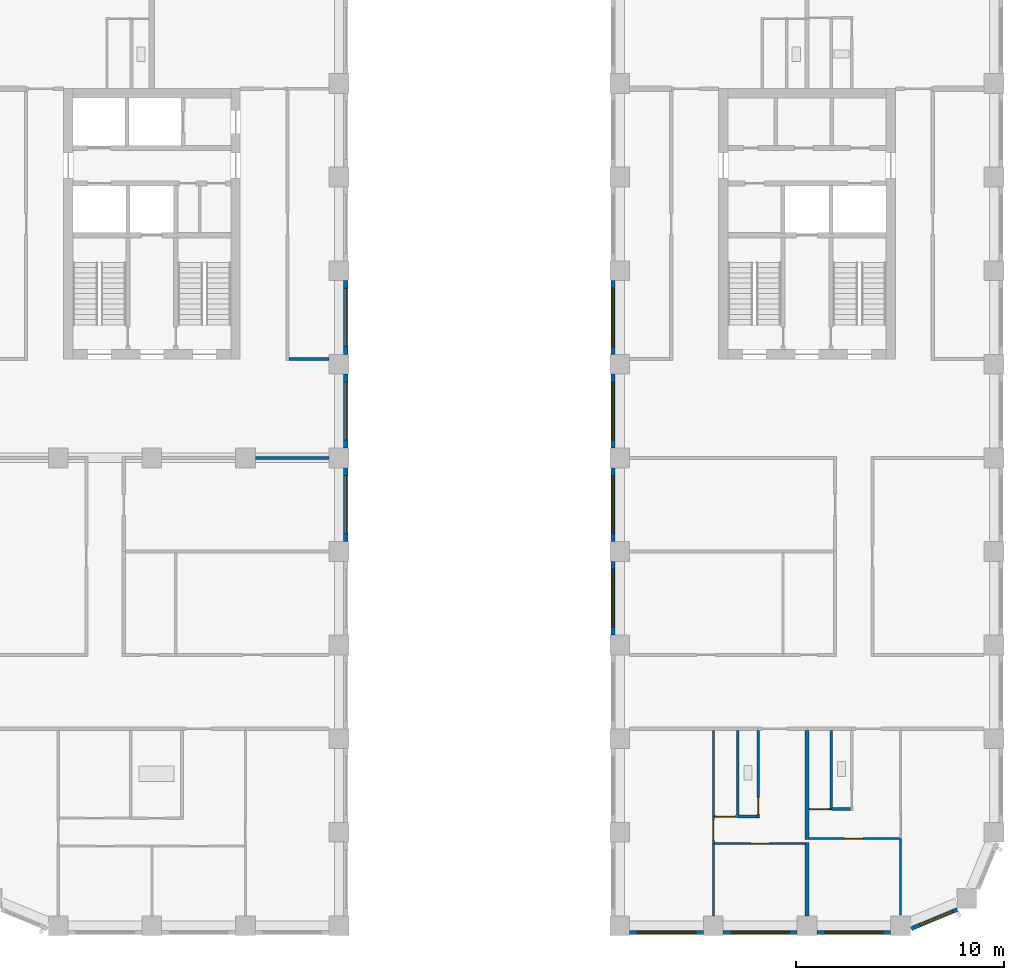
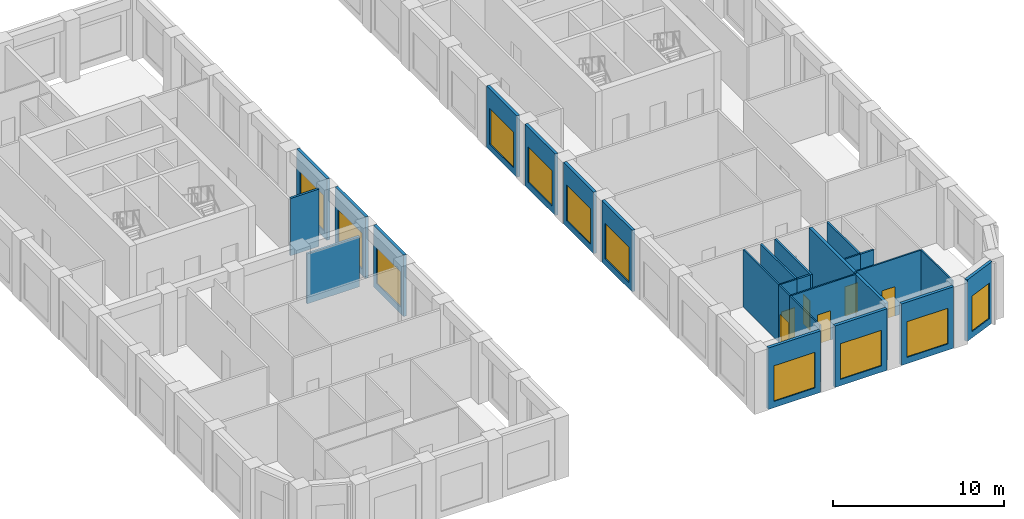
# One storey, part 4 of 12: 28 walls, 11 windows, 6 doors, 17 openings.
"""IFC4 building model written with IfcOpenShell, lengths in metres."""

from ifc_helpers import new_model, si_unit, direction, frame, frame_2d, origin, place, context, subcontext, project, spatial, rectangle, extrude, material, layer, layer_set, type_object, element, fill, save


model = new_model("IFC4")

# Units and contexts
model_context = context("Model", 3, precision=1e-05, world=origin(), true_north=direction((0.0, 1.0)))
body_context = subcontext(model_context, "Body", "Model", "MODEL_VIEW")
ifc_project = project(units=[si_unit("LENGTHUNIT", "METRE"), si_unit("AREAUNIT", "SQUARE_METRE"), si_unit("VOLUMEUNIT", "CUBIC_METRE"), si_unit("PLANEANGLEUNIT", "RADIAN"), si_unit("MASSUNIT", "GRAM", prefix="KILO")], contexts=[model_context])

# Site, building, storey
site_placement = place(None, origin())
site = spatial("IfcSite", under=ifc_project, at=site_placement, CompositionType="ELEMENT")
building_placement = place(site_placement, origin())
building = spatial("IfcBuilding", under=site, at=building_placement, Name="Girih Gate Residences", CompositionType="ELEMENT")
storey_placement = place(building_placement, frame((0.0, 0.0, 155.0)))
storey = spatial("IfcBuildingStorey", under=building, at=storey_placement, Name="L43", CompositionType="ELEMENT", Elevation=155.0)

# Walls
ifc_material_1 = material(Name="Gypsum board on steel studs", Category="steel")
ifc_layer_1 = layer(ifc_material_1, 0.14990234375)
ifc_layer_set_1 = layer_set([ifc_layer_1], Name="Compartment wall 150 mm")
wall_type_1 = type_object("IfcWallType", Name="Compartment wall 150 mm", PredefinedType="PARTITIONING", material=ifc_layer_set_1)
wall_1_placement = place(storey_placement, frame((13.97509765625, 22.5, 0.0), z_axis=(0.0, 0.0, 1.0), x_axis=(1.0, 0.0, 0.0)))
element("IfcWall", 1, at=wall_1_placement, inside=storey, type_object=wall_type_1, Name="L43 partition", PredefinedType="PARTITIONING", context=body_context, shape_type="SweptSolid", body=[
    extrude(rectangle(XDim=3.5498046875, YDim=0.14990234375, at=frame_2d((1.77490234375, 0.0))), origin(), (0.0, 0.0, 1.0), 3.580078125),
])
wall_2_placement = place(storey_placement, frame((15.60009765625, 27.25, 0.0), z_axis=(0.0, 0.0, 1.0), x_axis=(1.0, 0.0, 0.0)))
element("IfcWall", 2, at=wall_2_placement, inside=storey, type_object=wall_type_1, Name="L43 partition", PredefinedType="PARTITIONING", context=body_context, shape_type="SweptSolid", body=[
    extrude(rectangle(XDim=1.9248046875, YDim=0.14990234375, at=frame_2d((0.96240234375, 0.0))), origin(), (0.0, 0.0, 1.0), 4.10009765625),
])

# Wall, opening, door
ifc_layer_2 = layer(ifc_material_1, 0.10009765625)
ifc_layer_set_2 = layer_set([ifc_layer_2], Name="Partition 100 mm")
wall_type_2 = type_object("IfcWallType", Name="Partition 100 mm", PredefinedType="PARTITIONING", material=ifc_layer_set_2)
wall_3_placement = place(storey_placement, frame((44.949951171875, 4.195068359375, 0.0), z_axis=(0.0, 0.0, 1.0), x_axis=(-1.0, 0.0, 0.0)))
wall_3 = element("IfcWall", 3, at=wall_3_placement, inside=storey, type_object=wall_type_2, Name="L43 partition", PredefinedType="PARTITIONING", context=body_context, shape_type="SweptSolid", body=[
    extrude(rectangle(XDim=4.349853515625, YDim=0.10009765625, at=frame_2d((2.1748046875, 0.0))), origin(), (0.0, 0.0, 1.0), 4.10009765625),
])
opening_1_placement = place(wall_3_placement, frame((1.75, 0.0, 0.0)))
opening_1 = element("IfcOpeningElement", 4, at=opening_1_placement, cuts=wall_3, Name="Opening A43-014", PredefinedType="OPENING", context=body_context, shape_type="SweptSolid", body=[
    extrude(rectangle(XDim=0.89990234375, YDim=2.10009765625, at=frame_2d((0.449951171875, 1.050048828125))), frame((0.0, 0.06005859375, 0.0), z_axis=(0.0, -1.0, 0.0), x_axis=(1.0, 0.0, 0.0)), (0.0, 0.0, 1.0), 0.1201171875),
])
ifc_material_2 = material(Name="Timber", Category="wood")
door_type_1 = type_object("IfcDoorType", Name="Bedroom door 900x2100", OperationType="NOTDEFINED", PredefinedType="DOOR", material=ifc_material_2)
door_1_placement = place(opening_1_placement, origin())
door_1 = element("IfcDoor", 5, at=door_1_placement, inside=storey, type_object=door_type_1, Name="Door A43-014", OperationType="SINGLE_SWING_RIGHT", OverallHeight=2.10009765625, OverallWidth=0.89990234375, PredefinedType="DOOR", context=body_context, shape_type="SweptSolid", body=[
    extrude(rectangle(XDim=0.89990234375, YDim=2.10009765625, at=frame_2d((0.449951171875, 1.050048828125))), frame((0.0, 0.02490234375, 0.0), z_axis=(0.0, -1.0, 0.0), x_axis=(1.0, 0.0, 0.0)), (0.0, 0.0, 1.0), 0.050048828125),
])
fill(opening_1, door_1)

# Wall
wall_4_placement = place(storey_placement, frame((45.0, 0.51416015625, 0.0), z_axis=(0.0, 0.0, 1.0), x_axis=(0.0, 1.0, 0.0)))
element("IfcWall", 6, at=wall_4_placement, inside=storey, type_object=wall_type_2, Name="L43 partition", PredefinedType="PARTITIONING", context=body_context, shape_type="SweptSolid", body=[
    extrude(rectangle(XDim=3.680908203125, YDim=0.10009765625, at=frame_2d((1.84033203125, 0.0))), origin(), (0.0, 0.0, 1.0), 4.10009765625),
])

# Wall, opening, door
wall_5_placement = place(storey_placement, frame((40.60009765625, 5.614990234375, 0.0), z_axis=(0.0, 0.0, 1.0), x_axis=(1.0, 0.0, 0.0)))
wall_5 = element("IfcWall", 7, at=wall_5_placement, inside=storey, type_object=wall_type_2, Name="L43 partition", PredefinedType="PARTITIONING", context=body_context, shape_type="SweptSolid", body=[
    extrude(rectangle(XDim=1.072509765625, YDim=0.10009765625, at=frame_2d((0.5361328125, 0.0))), origin(), (0.0, 0.0, 1.0), 4.10009765625),
])
opening_2_placement = place(wall_5_placement, frame((0.036376953125, 0.0, 0.0)))
opening_2 = element("IfcOpeningElement", 8, at=opening_2_placement, cuts=wall_5, Name="Opening A43-015", PredefinedType="OPENING", context=body_context, shape_type="SweptSolid", body=[
    extrude(rectangle(XDim=0.89990234375, YDim=2.10009765625, at=frame_2d((0.449951171875, 1.050048828125))), frame((0.0, 0.06005859375, 0.0), z_axis=(0.0, -1.0, 0.0), x_axis=(1.0, 0.0, 0.0)), (0.0, 0.0, 1.0), 0.1201171875),
])
door_type_2 = type_object("IfcDoorType", Name="Kitchen door 900x2100", OperationType="NOTDEFINED", PredefinedType="DOOR", material=ifc_material_2)
door_2_placement = place(opening_2_placement, origin())
door_2 = element("IfcDoor", 9, at=door_2_placement, inside=storey, type_object=door_type_2, Name="Door A43-015", OperationType="SINGLE_SWING_LEFT", OverallHeight=2.10009765625, OverallWidth=0.89990234375, PredefinedType="DOOR", context=body_context, shape_type="SweptSolid", body=[
    extrude(rectangle(XDim=0.89990234375, YDim=2.10009765625, at=frame_2d((0.449951171875, 1.050048828125))), frame((0.0, 0.02490234375, 0.0), z_axis=(0.0, -1.0, 0.0), x_axis=(1.0, 0.0, 0.0)), (0.0, 0.0, 1.0), 0.050048828125),
])
fill(opening_2, door_2)

wall_6_placement = place(storey_placement, frame((40.39990234375, 3.955078125, 0.0), z_axis=(0.0, 0.0, 1.0), x_axis=(-1.0, 0.0, 0.0)))
wall_6 = element("IfcWall", 10, at=wall_6_placement, inside=storey, type_object=wall_type_2, Name="L43 partition", PredefinedType="PARTITIONING", context=body_context, shape_type="SweptSolid", body=[
    extrude(rectangle(XDim=4.349853515625, YDim=0.10009765625, at=frame_2d((2.1748046875, 0.0))), origin(), (0.0, 0.0, 1.0), 4.10009765625),
])
opening_3_placement = place(wall_6_placement, frame((1.699951171875, 0.0, 0.0)))
opening_3 = element("IfcOpeningElement", 11, at=opening_3_placement, cuts=wall_6, Name="Opening A43-019", PredefinedType="OPENING", context=body_context, shape_type="SweptSolid", body=[
    extrude(rectangle(XDim=0.89990234375, YDim=2.10009765625, at=frame_2d((0.449951171875, 1.050048828125))), frame((0.0, 0.06005859375, 0.0), z_axis=(0.0, -1.0, 0.0), x_axis=(1.0, 0.0, 0.0)), (0.0, 0.0, 1.0), 0.1201171875),
])
door_3_placement = place(opening_3_placement, origin())
door_3 = element("IfcDoor", 12, at=door_3_placement, inside=storey, type_object=door_type_1, Name="Door A43-019", OperationType="SINGLE_SWING_LEFT", OverallHeight=2.10009765625, OverallWidth=0.89990234375, PredefinedType="DOOR", context=body_context, shape_type="SweptSolid", body=[
    extrude(rectangle(XDim=0.89990234375, YDim=2.10009765625, at=frame_2d((0.449951171875, 1.050048828125))), frame((0.0, 0.02490234375, 0.0), z_axis=(0.0, -1.0, 0.0), x_axis=(1.0, 0.0, 0.0)), (0.0, 0.0, 1.0), 0.050048828125),
])
fill(opening_3, door_3)

# Wall
wall_7_placement = place(storey_placement, frame((36.0, 0.47509765625, 0.0), z_axis=(0.0, 0.0, 1.0), x_axis=(0.0, 1.0, 0.0)))
element("IfcWall", 13, at=wall_7_placement, inside=storey, type_object=wall_type_2, Name="L43 partition", PredefinedType="PARTITIONING", context=body_context, shape_type="SweptSolid", body=[
    extrude(rectangle(XDim=3.47998046875, YDim=0.10009765625, at=frame_2d((1.739990234375, 0.0))), origin(), (0.0, 0.0, 1.0), 4.10009765625),
])

# Wall, opening, door
wall_8_placement = place(storey_placement, frame((36.050048828125, 5.2548828125, 0.0), z_axis=(0.0, 0.0, 1.0), x_axis=(1.0, 0.0, 0.0)))
wall_8 = element("IfcWall", 14, at=wall_8_placement, inside=storey, type_object=wall_type_2, Name="L43 partition", PredefinedType="PARTITIONING", context=body_context, shape_type="SweptSolid", body=[
    extrude(rectangle(XDim=1.12255859375, YDim=0.10009765625, at=frame_2d((0.561279296875, 0.0))), origin(), (0.0, 0.0, 1.0), 4.10009765625),
])
opening_4_placement = place(wall_8_placement, frame((0.08642578125, 0.0, 0.0)))
opening_4 = element("IfcOpeningElement", 15, at=opening_4_placement, cuts=wall_8, Name="Opening A43-020", PredefinedType="OPENING", context=body_context, shape_type="SweptSolid", body=[
    extrude(rectangle(XDim=0.89990234375, YDim=2.10009765625, at=frame_2d((0.449951171875, 1.050048828125))), frame((0.0, 0.06005859375, 0.0), z_axis=(0.0, -1.0, 0.0), x_axis=(1.0, 0.0, 0.0)), (0.0, 0.0, 1.0), 0.1201171875),
])
door_4_placement = place(opening_4_placement, origin())
door_4 = element("IfcDoor", 16, at=door_4_placement, inside=storey, type_object=door_type_2, Name="Door A43-020", OperationType="SINGLE_SWING_LEFT", OverallHeight=2.10009765625, OverallWidth=0.89990234375, PredefinedType="DOOR", context=body_context, shape_type="SweptSolid", body=[
    extrude(rectangle(XDim=0.89990234375, YDim=2.10009765625, at=frame_2d((0.449951171875, 1.050048828125))), frame((0.0, 0.02490234375, 0.0), z_axis=(0.0, -1.0, 0.0), x_axis=(1.0, 0.0, 0.0)), (0.0, 0.0, 1.0), 0.050048828125),
])
fill(opening_4, door_4)

wall_9_placement = place(storey_placement, frame((36.0, 3.955078125, 0.0), z_axis=(0.0, 0.0, 1.0), x_axis=(0.0, 1.0, 0.0)))
wall_9 = element("IfcWall", 17, at=wall_9_placement, inside=storey, type_object=wall_type_2, Name="L43 partition", PredefinedType="PARTITIONING", context=body_context, shape_type="SweptSolid", body=[
    extrude(rectangle(XDim=1.2998046875, YDim=0.10009765625, at=frame_2d((0.64990234375, 0.0))), origin(), (0.0, 0.0, 1.0), 4.10009765625),
])
opening_5_placement = place(wall_9_placement, frame((0.14990234375, 0.0, 0.0)))
opening_5 = element("IfcOpeningElement", 18, at=opening_5_placement, cuts=wall_9, Name="Opening A43-021", PredefinedType="OPENING", context=body_context, shape_type="SweptSolid", body=[
    extrude(rectangle(XDim=1.0, YDim=2.10009765625, at=frame_2d((0.5, 1.050048828125))), frame((0.0, 0.06005859375, 0.0), z_axis=(0.0, -1.0, 0.0), x_axis=(1.0, 0.0, 0.0)), (0.0, 0.0, 1.0), 0.1201171875),
])
door_type_3 = type_object("IfcDoorType", Name="Living room door 1000x2100", OperationType="NOTDEFINED", PredefinedType="DOOR", material=ifc_material_2)
door_5_placement = place(opening_5_placement, origin())
door_5 = element("IfcDoor", 19, at=door_5_placement, inside=storey, type_object=door_type_3, Name="Door A43-021", OperationType="SINGLE_SWING_LEFT", OverallHeight=2.10009765625, OverallWidth=1.0, PredefinedType="DOOR", context=body_context, shape_type="SweptSolid", body=[
    extrude(rectangle(XDim=1.0, YDim=2.10009765625, at=frame_2d((0.5, 1.050048828125))), frame((0.0, 0.02490234375, 0.0), z_axis=(0.0, -1.0, 0.0), x_axis=(1.0, 0.0, 0.0)), (0.0, 0.0, 1.0), 0.050048828125),
])
fill(opening_5, door_5)

# Walls
wall_10_placement = place(storey_placement, frame((36.0, 5.2548828125, 0.0), z_axis=(0.0, 0.0, 1.0), x_axis=(0.0, 1.0, 0.0)))
element("IfcWall", 20, at=wall_10_placement, inside=storey, type_object=wall_type_2, Name="L43 partition", PredefinedType="PARTITIONING", context=body_context, shape_type="SweptSolid", body=[
    extrude(rectangle(XDim=4.14501953125, YDim=0.10009765625, at=frame_2d((2.072509765625, 0.0))), origin(), (0.0, 0.0, 1.0), 4.10009765625),
])
ifc_layer_3 = layer(ifc_material_1, 0.199951171875)
ifc_layer_set_3 = layer_set([ifc_layer_3], Name="Party wall 200 mm")
wall_type_3 = type_object("IfcWallType", Name="Party wall 200 mm", PredefinedType="PARTITIONING", material=ifc_layer_set_3)
wall_11_placement = place(storey_placement, frame((40.5, 0.47509765625, 0.0), z_axis=(0.0, 0.0, 1.0), x_axis=(0.0, 1.0, 0.0)))
element("IfcWall", 21, at=wall_11_placement, inside=storey, type_object=wall_type_3, Name="L43 partition", PredefinedType="PARTITIONING", context=body_context, shape_type="SweptSolid", body=[
    extrude(rectangle(XDim=3.52978515625, YDim=0.199951171875, at=frame_2d((1.764892578125, 0.0))), origin(), (0.0, 0.0, 1.0), 4.10009765625),
])
wall_12_placement = place(storey_placement, frame((40.5, 4.14501953125, 0.0), z_axis=(0.0, 0.0, 1.0), x_axis=(0.0, 1.0, 0.0)))
element("IfcWall", 22, at=wall_12_placement, inside=storey, type_object=wall_type_3, Name="L43 partition", PredefinedType="PARTITIONING", context=body_context, shape_type="SweptSolid", body=[
    extrude(rectangle(XDim=5.2548828125, YDim=0.199951171875, at=frame_2d((2.62744140625, 0.0))), origin(), (0.0, 0.0, 1.0), 4.10009765625),
])

# Wall, opening, window
ifc_material_3 = material(Name="Precast concrete C50/60", Category="concrete")
ifc_layer_4 = layer(ifc_material_3, 0.06005859375, Name="Outer leaf")
ifc_material_4 = material(Name="Rigid PIR insulation")
ifc_layer_5 = layer(ifc_material_4, 0.090087890625, Name="Insulation")
ifc_material_5 = material(Name="Precast concrete C40/50", Category="concrete")
ifc_layer_6 = layer(ifc_material_5, 0.050048828125, Name="Inner leaf")
ifc_layer_set_4 = layer_set([ifc_layer_4, ifc_layer_5, ifc_layer_6], Name="Precast concrete C50/60 external wall 200")
wall_type_4 = type_object("IfcWallType", Name="Precast concrete C50/60 external wall 200", PredefinedType="SOLIDWALL", material=ifc_layer_set_4)
wall_13_placement = place(storey_placement, frame((18.324951171875, 22.02490234375, 0.0), z_axis=(0.0, 0.0, 1.0), x_axis=(0.0, -1.0, 0.0)))
wall_13 = element("IfcWall", 23, at=wall_13_placement, inside=storey, type_object=wall_type_4, Name="External wall E0180_0000.4", PredefinedType="SOLIDWALL", context=body_context, shape_type="SweptSolid", body=[
    extrude(rectangle(XDim=3.5498046875, YDim=0.199951171875, at=frame_2d((1.77490234375, 0.0))), origin(), (0.0, 0.0, 1.0), 4.39990234375),
])
opening_6_placement = place(wall_13_placement, frame((0.375, 0.0, 0.449951171875)))
opening_6 = element("IfcOpeningElement", 24, at=opening_6_placement, cuts=wall_13, Name="Opening W-6A", PredefinedType="OPENING", context=body_context, shape_type="SweptSolid", body=[
    extrude(rectangle(XDim=2.800048828125, YDim=2.550048828125, at=frame_2d((1.39990234375, 1.27490234375))), frame((0.0, 0.10986328125, 0.0), z_axis=(0.0, -1.0, 0.0), x_axis=(1.0, 0.0, 0.0)), (0.0, 0.0, 1.0), 0.219970703125),
])
ifc_material_6 = material(Name="Double glazing in aluminium frame", Category="aluminium")
window_type_1 = type_object("IfcWindowType", Name="Window W-6A 2800x2550", PartitioningType="SINGLE_PANEL", PredefinedType="WINDOW", material=ifc_material_6)
window_1_placement = place(opening_6_placement, origin())
window_1 = element("IfcWindow", 25, at=window_1_placement, inside=storey, type_object=window_type_1, Name="Window W-6A E0180_0000.4", OverallHeight=2.550048828125, OverallWidth=2.800048828125, PartitioningType="SINGLE_PANEL", PredefinedType="WINDOW", context=body_context, shape_type="SweptSolid", body=[
    extrude(rectangle(XDim=2.800048828125, YDim=2.550048828125, at=frame_2d((1.39990234375, 1.27490234375))), frame((0.0, 0.030029296875, 0.0), z_axis=(0.0, -1.0, 0.0), x_axis=(1.0, 0.0, 0.0)), (0.0, 0.0, 1.0), 0.06005859375),
])
fill(opening_6, window_1)

wall_14_placement = place(storey_placement, frame((18.324951171875, 26.52490234375, 0.0), z_axis=(0.0, 0.0, 1.0), x_axis=(0.0, -1.0, 0.0)))
wall_14 = element("IfcWall", 26, at=wall_14_placement, inside=storey, type_object=wall_type_4, Name="External wall E0180_0000.5", PredefinedType="SOLIDWALL", context=body_context, shape_type="SweptSolid", body=[
    extrude(rectangle(XDim=3.5498046875, YDim=0.199951171875, at=frame_2d((1.77490234375, 0.0))), origin(), (0.0, 0.0, 1.0), 4.39990234375),
])
opening_7_placement = place(wall_14_placement, frame((0.375, 0.0, 0.449951171875)))
opening_7 = element("IfcOpeningElement", 27, at=opening_7_placement, cuts=wall_14, Name="Opening W-6A", PredefinedType="OPENING", context=body_context, shape_type="SweptSolid", body=[
    extrude(rectangle(XDim=2.800048828125, YDim=2.550048828125, at=frame_2d((1.39990234375, 1.27490234375))), frame((0.0, 0.10986328125, 0.0), z_axis=(0.0, -1.0, 0.0), x_axis=(1.0, 0.0, 0.0)), (0.0, 0.0, 1.0), 0.219970703125),
])
window_2_placement = place(opening_7_placement, origin())
window_2 = element("IfcWindow", 28, at=window_2_placement, inside=storey, type_object=window_type_1, Name="Window W-6A E0180_0000.5", OverallHeight=2.550048828125, OverallWidth=2.800048828125, PartitioningType="SINGLE_PANEL", PredefinedType="WINDOW", context=body_context, shape_type="SweptSolid", body=[
    extrude(rectangle(XDim=2.800048828125, YDim=2.550048828125, at=frame_2d((1.39990234375, 1.27490234375))), frame((0.0, 0.030029296875, 0.0), z_axis=(0.0, -1.0, 0.0), x_axis=(1.0, 0.0, 0.0)), (0.0, 0.0, 1.0), 0.06005859375),
])
fill(opening_7, window_2)

wall_15_placement = place(storey_placement, frame((18.324951171875, 31.02490234375, 0.0), z_axis=(0.0, 0.0, 1.0), x_axis=(0.0, -1.0, 0.0)))
wall_15 = element("IfcWall", 29, at=wall_15_placement, inside=storey, type_object=wall_type_4, Name="External wall E0180_0000.6", PredefinedType="SOLIDWALL", context=body_context, shape_type="SweptSolid", body=[
    extrude(rectangle(XDim=3.5498046875, YDim=0.199951171875, at=frame_2d((1.77490234375, 0.0))), origin(), (0.0, 0.0, 1.0), 4.39990234375),
])
opening_8_placement = place(wall_15_placement, frame((0.375, 0.0, 0.449951171875)))
opening_8 = element("IfcOpeningElement", 30, at=opening_8_placement, cuts=wall_15, Name="Opening W-6A", PredefinedType="OPENING", context=body_context, shape_type="SweptSolid", body=[
    extrude(rectangle(XDim=2.800048828125, YDim=2.550048828125, at=frame_2d((1.39990234375, 1.27490234375))), frame((0.0, 0.10986328125, 0.0), z_axis=(0.0, -1.0, 0.0), x_axis=(1.0, 0.0, 0.0)), (0.0, 0.0, 1.0), 0.219970703125),
])
window_3_placement = place(opening_8_placement, origin())
window_3 = element("IfcWindow", 31, at=window_3_placement, inside=storey, type_object=window_type_1, Name="Window W-6A E0180_0000.6", OverallHeight=2.550048828125, OverallWidth=2.800048828125, PartitioningType="SINGLE_PANEL", PredefinedType="WINDOW", context=body_context, shape_type="SweptSolid", body=[
    extrude(rectangle(XDim=2.800048828125, YDim=2.550048828125, at=frame_2d((1.39990234375, 1.27490234375))), frame((0.0, 0.030029296875, 0.0), z_axis=(0.0, -1.0, 0.0), x_axis=(1.0, 0.0, 0.0)), (0.0, 0.0, 1.0), 0.06005859375),
])
fill(opening_8, window_3)

wall_16_placement = place(storey_placement, frame((35.52490234375, -0.324951171875, 0.0), z_axis=(0.0, 0.0, 1.0), x_axis=(-1.0, 0.0, 0.0)))
wall_16 = element("IfcWall", 32, at=wall_16_placement, inside=storey, type_object=wall_type_4, Name="External wall S0315_0000.0", PredefinedType="SOLIDWALL", context=body_context, shape_type="SweptSolid", body=[
    extrude(rectangle(XDim=3.5498046875, YDim=0.199951171875, at=frame_2d((1.77490234375, 0.0))), origin(), (0.0, 0.0, 1.0), 4.39990234375),
])
opening_9_placement = place(wall_16_placement, frame((0.375, 0.0, 0.449951171875)))
opening_9 = element("IfcOpeningElement", 33, at=opening_9_placement, cuts=wall_16, Name="Opening W-6A", PredefinedType="OPENING", context=body_context, shape_type="SweptSolid", body=[
    extrude(rectangle(XDim=2.800048828125, YDim=2.550048828125, at=frame_2d((1.39990234375, 1.27490234375))), frame((0.0, 0.10986328125, 0.0), z_axis=(0.0, -1.0, 0.0), x_axis=(1.0, 0.0, 0.0)), (0.0, 0.0, 1.0), 0.219970703125),
])
window_4_placement = place(opening_9_placement, origin())
window_4 = element("IfcWindow", 34, at=window_4_placement, inside=storey, type_object=window_type_1, Name="Window W-6A S0315_0000.0", OverallHeight=2.550048828125, OverallWidth=2.800048828125, PartitioningType="SINGLE_PANEL", PredefinedType="WINDOW", context=body_context, shape_type="SweptSolid", body=[
    extrude(rectangle(XDim=2.800048828125, YDim=2.550048828125, at=frame_2d((1.39990234375, 1.27490234375))), frame((0.0, 0.030029296875, 0.0), z_axis=(0.0, -1.0, 0.0), x_axis=(1.0, 0.0, 0.0)), (0.0, 0.0, 1.0), 0.06005859375),
])
fill(opening_9, window_4)

wall_17_placement = place(storey_placement, frame((40.02490234375, -0.324951171875, 0.0), z_axis=(0.0, 0.0, 1.0), x_axis=(-1.0, 0.0, 0.0)))
wall_17 = element("IfcWall", 35, at=wall_17_placement, inside=storey, type_object=wall_type_4, Name="External wall S0315_0000.1", PredefinedType="SOLIDWALL", context=body_context, shape_type="SweptSolid", body=[
    extrude(rectangle(XDim=3.5498046875, YDim=0.199951171875, at=frame_2d((1.77490234375, 0.0))), origin(), (0.0, 0.0, 1.0), 4.39990234375),
])
opening_10_placement = place(wall_17_placement, frame((0.375, 0.0, 0.449951171875)))
opening_10 = element("IfcOpeningElement", 36, at=opening_10_placement, cuts=wall_17, Name="Opening W-6A", PredefinedType="OPENING", context=body_context, shape_type="SweptSolid", body=[
    extrude(rectangle(XDim=2.800048828125, YDim=2.550048828125, at=frame_2d((1.39990234375, 1.27490234375))), frame((0.0, 0.10986328125, 0.0), z_axis=(0.0, -1.0, 0.0), x_axis=(1.0, 0.0, 0.0)), (0.0, 0.0, 1.0), 0.219970703125),
])
window_5_placement = place(opening_10_placement, origin())
window_5 = element("IfcWindow", 37, at=window_5_placement, inside=storey, type_object=window_type_1, Name="Window W-6A S0315_0000.1", OverallHeight=2.550048828125, OverallWidth=2.800048828125, PartitioningType="SINGLE_PANEL", PredefinedType="WINDOW", context=body_context, shape_type="SweptSolid", body=[
    extrude(rectangle(XDim=2.800048828125, YDim=2.550048828125, at=frame_2d((1.39990234375, 1.27490234375))), frame((0.0, 0.030029296875, 0.0), z_axis=(0.0, -1.0, 0.0), x_axis=(1.0, 0.0, 0.0)), (0.0, 0.0, 1.0), 0.06005859375),
])
fill(opening_10, window_5)

wall_18_placement = place(storey_placement, frame((44.52490234375, -0.324951171875, 0.0), z_axis=(0.0, 0.0, 1.0), x_axis=(-1.0, 0.0, 0.0)))
wall_18 = element("IfcWall", 38, at=wall_18_placement, inside=storey, type_object=wall_type_4, Name="External wall S0315_0000.2", PredefinedType="SOLIDWALL", context=body_context, shape_type="SweptSolid", body=[
    extrude(rectangle(XDim=3.5498046875, YDim=0.199951171875, at=frame_2d((1.77490234375, 0.0))), origin(), (0.0, 0.0, 1.0), 4.39990234375),
])
opening_11_placement = place(wall_18_placement, frame((0.375, 0.0, 0.449951171875)))
opening_11 = element("IfcOpeningElement", 39, at=opening_11_placement, cuts=wall_18, Name="Opening W-6A", PredefinedType="OPENING", context=body_context, shape_type="SweptSolid", body=[
    extrude(rectangle(XDim=2.800048828125, YDim=2.550048828125, at=frame_2d((1.39990234375, 1.27490234375))), frame((0.0, 0.10986328125, 0.0), z_axis=(0.0, -1.0, 0.0), x_axis=(1.0, 0.0, 0.0)), (0.0, 0.0, 1.0), 0.219970703125),
])
window_6_placement = place(opening_11_placement, origin())
window_6 = element("IfcWindow", 40, at=window_6_placement, inside=storey, type_object=window_type_1, Name="Window W-6A S0315_0000.2", OverallHeight=2.550048828125, OverallWidth=2.800048828125, PartitioningType="SINGLE_PANEL", PredefinedType="WINDOW", context=body_context, shape_type="SweptSolid", body=[
    extrude(rectangle(XDim=2.800048828125, YDim=2.550048828125, at=frame_2d((1.39990234375, 1.27490234375))), frame((0.0, 0.030029296875, 0.0), z_axis=(0.0, -1.0, 0.0), x_axis=(1.0, 0.0, 0.0)), (0.0, 0.0, 1.0), 0.06005859375),
])
fill(opening_11, window_6)

wall_19_placement = place(storey_placement, frame((47.73291015625, 0.7802734375, 0.0), z_axis=(0.0, 0.0, 1.0), x_axis=(-0.923880599843, -0.382680855588, 0.0)))
wall_19 = element("IfcWall", 41, at=wall_19_placement, inside=storey, type_object=wall_type_4, Name="External wall SE0450_0000.0", PredefinedType="SOLIDWALL", context=body_context, shape_type="SweptSolid", body=[
    extrude(rectangle(XDim=2.402587890625, YDim=0.199951171875, at=frame_2d((1.201171875, 0.0))), origin(), (0.0, 0.0, 1.0), 4.39990234375),
])
opening_12_placement = place(wall_19_placement, frame((0.25146484375, 0.0, 0.449951171875)))
opening_12 = element("IfcOpeningElement", 42, at=opening_12_placement, cuts=wall_19, Name="Opening W-2F", PredefinedType="OPENING", context=body_context, shape_type="SweptSolid", body=[
    extrude(rectangle(XDim=1.699951171875, YDim=2.550048828125, at=frame_2d((0.85009765625, 1.27490234375))), frame((0.0, 0.10986328125, 0.0), z_axis=(0.0, -1.0, 0.0), x_axis=(1.0, 0.0, 0.0)), (0.0, 0.0, 1.0), 0.219970703125),
])
window_type_2 = type_object("IfcWindowType", Name="Window W-2F 1700x2550", PartitioningType="SINGLE_PANEL", PredefinedType="WINDOW", material=ifc_material_6)
window_7_placement = place(opening_12_placement, origin())
window_7 = element("IfcWindow", 43, at=window_7_placement, inside=storey, type_object=window_type_2, Name="Window W-2F SE0450_0000.0", OverallHeight=2.550048828125, OverallWidth=1.699951171875, PartitioningType="SINGLE_PANEL", PredefinedType="WINDOW", context=body_context, shape_type="SweptSolid", body=[
    extrude(rectangle(XDim=1.699951171875, YDim=2.550048828125, at=frame_2d((0.85009765625, 1.27490234375))), frame((0.0, 0.030029296875, 0.0), z_axis=(0.0, -1.0, 0.0), x_axis=(1.0, 0.0, 0.0)), (0.0, 0.0, 1.0), 0.06005859375),
])
fill(opening_12, window_7)

wall_20_placement = place(storey_placement, frame((31.175048828125, 27.47509765625, 0.0), z_axis=(0.0, 0.0, 1.0), x_axis=(0.0, 1.0, 0.0)))
wall_20 = element("IfcWall", 44, at=wall_20_placement, inside=storey, type_object=wall_type_4, Name="External wall W0315_0495.4", PredefinedType="SOLIDWALL", context=body_context, shape_type="SweptSolid", body=[
    extrude(rectangle(XDim=3.5498046875, YDim=0.199951171875, at=frame_2d((1.77490234375, 0.0))), origin(), (0.0, 0.0, 1.0), 4.39990234375),
])
opening_13_placement = place(wall_20_placement, frame((0.375, 0.0, 0.449951171875)))
opening_13 = element("IfcOpeningElement", 45, at=opening_13_placement, cuts=wall_20, Name="Opening W-6A", PredefinedType="OPENING", context=body_context, shape_type="SweptSolid", body=[
    extrude(rectangle(XDim=2.800048828125, YDim=2.550048828125, at=frame_2d((1.39990234375, 1.27490234375))), frame((0.0, 0.10986328125, 0.0), z_axis=(0.0, -1.0, 0.0), x_axis=(1.0, 0.0, 0.0)), (0.0, 0.0, 1.0), 0.219970703125),
])
window_8_placement = place(opening_13_placement, origin())
window_8 = element("IfcWindow", 46, at=window_8_placement, inside=storey, type_object=window_type_1, Name="Window W-6A W0315_0495.4", OverallHeight=2.550048828125, OverallWidth=2.800048828125, PartitioningType="SINGLE_PANEL", PredefinedType="WINDOW", context=body_context, shape_type="SweptSolid", body=[
    extrude(rectangle(XDim=2.800048828125, YDim=2.550048828125, at=frame_2d((1.39990234375, 1.27490234375))), frame((0.0, 0.030029296875, 0.0), z_axis=(0.0, -1.0, 0.0), x_axis=(1.0, 0.0, 0.0)), (0.0, 0.0, 1.0), 0.06005859375),
])
fill(opening_13, window_8)

wall_21_placement = place(storey_placement, frame((31.175048828125, 22.97509765625, 0.0), z_axis=(0.0, 0.0, 1.0), x_axis=(0.0, 1.0, 0.0)))
wall_21 = element("IfcWall", 47, at=wall_21_placement, inside=storey, type_object=wall_type_4, Name="External wall W0315_0495.5", PredefinedType="SOLIDWALL", context=body_context, shape_type="SweptSolid", body=[
    extrude(rectangle(XDim=3.5498046875, YDim=0.199951171875, at=frame_2d((1.77490234375, 0.0))), origin(), (0.0, 0.0, 1.0), 4.39990234375),
])
opening_14_placement = place(wall_21_placement, frame((0.375, 0.0, 0.449951171875)))
opening_14 = element("IfcOpeningElement", 48, at=opening_14_placement, cuts=wall_21, Name="Opening W-6A", PredefinedType="OPENING", context=body_context, shape_type="SweptSolid", body=[
    extrude(rectangle(XDim=2.800048828125, YDim=2.550048828125, at=frame_2d((1.39990234375, 1.27490234375))), frame((0.0, 0.10986328125, 0.0), z_axis=(0.0, -1.0, 0.0), x_axis=(1.0, 0.0, 0.0)), (0.0, 0.0, 1.0), 0.219970703125),
])
window_9_placement = place(opening_14_placement, origin())
window_9 = element("IfcWindow", 49, at=window_9_placement, inside=storey, type_object=window_type_1, Name="Window W-6A W0315_0495.5", OverallHeight=2.550048828125, OverallWidth=2.800048828125, PartitioningType="SINGLE_PANEL", PredefinedType="WINDOW", context=body_context, shape_type="SweptSolid", body=[
    extrude(rectangle(XDim=2.800048828125, YDim=2.550048828125, at=frame_2d((1.39990234375, 1.27490234375))), frame((0.0, 0.030029296875, 0.0), z_axis=(0.0, -1.0, 0.0), x_axis=(1.0, 0.0, 0.0)), (0.0, 0.0, 1.0), 0.06005859375),
])
fill(opening_14, window_9)

wall_22_placement = place(storey_placement, frame((31.175048828125, 18.47509765625, 0.0), z_axis=(0.0, 0.0, 1.0), x_axis=(0.0, 1.0, 0.0)))
wall_22 = element("IfcWall", 50, at=wall_22_placement, inside=storey, type_object=wall_type_4, Name="External wall W0315_0495.6", PredefinedType="SOLIDWALL", context=body_context, shape_type="SweptSolid", body=[
    extrude(rectangle(XDim=3.5498046875, YDim=0.199951171875, at=frame_2d((1.77490234375, 0.0))), origin(), (0.0, 0.0, 1.0), 4.39990234375),
])
opening_15_placement = place(wall_22_placement, frame((0.375, 0.0, 0.449951171875)))
opening_15 = element("IfcOpeningElement", 51, at=opening_15_placement, cuts=wall_22, Name="Opening W-6A", PredefinedType="OPENING", context=body_context, shape_type="SweptSolid", body=[
    extrude(rectangle(XDim=2.800048828125, YDim=2.550048828125, at=frame_2d((1.39990234375, 1.27490234375))), frame((0.0, 0.10986328125, 0.0), z_axis=(0.0, -1.0, 0.0), x_axis=(1.0, 0.0, 0.0)), (0.0, 0.0, 1.0), 0.219970703125),
])
window_10_placement = place(opening_15_placement, origin())
window_10 = element("IfcWindow", 52, at=window_10_placement, inside=storey, type_object=window_type_1, Name="Window W-6A W0315_0495.6", OverallHeight=2.550048828125, OverallWidth=2.800048828125, PartitioningType="SINGLE_PANEL", PredefinedType="WINDOW", context=body_context, shape_type="SweptSolid", body=[
    extrude(rectangle(XDim=2.800048828125, YDim=2.550048828125, at=frame_2d((1.39990234375, 1.27490234375))), frame((0.0, 0.030029296875, 0.0), z_axis=(0.0, -1.0, 0.0), x_axis=(1.0, 0.0, 0.0)), (0.0, 0.0, 1.0), 0.06005859375),
])
fill(opening_15, window_10)

wall_23_placement = place(storey_placement, frame((31.175048828125, 13.97509765625, 0.0), z_axis=(0.0, 0.0, 1.0), x_axis=(0.0, 1.0, 0.0)))
wall_23 = element("IfcWall", 53, at=wall_23_placement, inside=storey, type_object=wall_type_4, Name="External wall W0315_0495.7", PredefinedType="SOLIDWALL", context=body_context, shape_type="SweptSolid", body=[
    extrude(rectangle(XDim=3.5498046875, YDim=0.199951171875, at=frame_2d((1.77490234375, 0.0))), origin(), (0.0, 0.0, 1.0), 4.39990234375),
])
opening_16_placement = place(wall_23_placement, frame((0.375, 0.0, 0.449951171875)))
opening_16 = element("IfcOpeningElement", 54, at=opening_16_placement, cuts=wall_23, Name="Opening W-6A", PredefinedType="OPENING", context=body_context, shape_type="SweptSolid", body=[
    extrude(rectangle(XDim=2.800048828125, YDim=2.550048828125, at=frame_2d((1.39990234375, 1.27490234375))), frame((0.0, 0.10986328125, 0.0), z_axis=(0.0, -1.0, 0.0), x_axis=(1.0, 0.0, 0.0)), (0.0, 0.0, 1.0), 0.219970703125),
])
window_11_placement = place(opening_16_placement, origin())
window_11 = element("IfcWindow", 55, at=window_11_placement, inside=storey, type_object=window_type_1, Name="Window W-6A W0315_0495.7", OverallHeight=2.550048828125, OverallWidth=2.800048828125, PartitioningType="SINGLE_PANEL", PredefinedType="WINDOW", context=body_context, shape_type="SweptSolid", body=[
    extrude(rectangle(XDim=2.800048828125, YDim=2.550048828125, at=frame_2d((1.39990234375, 1.27490234375))), frame((0.0, 0.030029296875, 0.0), z_axis=(0.0, -1.0, 0.0), x_axis=(1.0, 0.0, 0.0)), (0.0, 0.0, 1.0), 0.06005859375),
])
fill(opening_16, window_11)

# Walls
ifc_layer_7 = layer(ifc_material_1, 0.125)
ifc_layer_set_5 = layer_set([ifc_layer_7], Name="Wet room wall 125 mm")
wall_type_5 = type_object("IfcWallType", Name="Wet room wall 125 mm", PredefinedType="PARTITIONING", material=ifc_layer_set_5)
wall_24_placement = place(storey_placement, frame((41.672607421875, 5.614990234375, 0.0), z_axis=(0.0, 0.0, 1.0), x_axis=(1.0, 0.0, 0.0)))
element("IfcWall", 56, at=wall_24_placement, inside=storey, type_object=wall_type_5, Name="L43 partition", PredefinedType="PARTITIONING", context=body_context, shape_type="SweptSolid", body=[
    extrude(rectangle(XDim=0.914794921875, YDim=0.125, at=frame_2d((0.45751953125, 0.0))), origin(), (0.0, 0.0, 1.0), 4.10009765625),
])
wall_25_placement = place(storey_placement, frame((41.673095703125, 5.677490234375, 0.0), z_axis=(0.0, 0.0, 1.0), x_axis=(0.0, 1.0, 0.0)))
element("IfcWall", 57, at=wall_25_placement, inside=storey, type_object=wall_type_5, Name="L43 partition", PredefinedType="PARTITIONING", context=body_context, shape_type="SweptSolid", body=[
    extrude(rectangle(XDim=3.722412109375, YDim=0.125, at=frame_2d((1.861328125, 0.0))), origin(), (0.0, 0.0, 1.0), 4.10009765625),
])

# Wall, opening, door
wall_26_placement = place(storey_placement, frame((38.14990234375, 5.1923828125, 0.0), z_axis=(0.0, 0.0, 1.0), x_axis=(0.0, 1.0, 0.0)))
wall_26 = element("IfcWall", 58, at=wall_26_placement, inside=storey, type_object=wall_type_5, Name="L43 partition", PredefinedType="PARTITIONING", context=body_context, shape_type="SweptSolid", body=[
    extrude(rectangle(XDim=4.20751953125, YDim=0.125, at=frame_2d((2.103759765625, 0.0))), origin(), (0.0, 0.0, 1.0), 4.10009765625),
])
opening_17_placement = place(wall_26_placement, frame((0.1826171875, 0.0, 0.0)))
opening_17 = element("IfcOpeningElement", 59, at=opening_17_placement, cuts=wall_26, Name="Opening A43-018", PredefinedType="OPENING", context=body_context, shape_type="SweptSolid", body=[
    extrude(rectangle(XDim=0.800048828125, YDim=2.10009765625, at=frame_2d((0.39990234375, 1.050048828125))), frame((0.0, 0.072509765625, 0.0), z_axis=(0.0, -1.0, 0.0), x_axis=(1.0, 0.0, 0.0)), (0.0, 0.0, 1.0), 0.14501953125),
])
door_type_4 = type_object("IfcDoorType", Name="Bathroom door 800x2100", OperationType="NOTDEFINED", PredefinedType="DOOR", material=ifc_material_2)
door_6_placement = place(opening_17_placement, origin())
door_6 = element("IfcDoor", 60, at=door_6_placement, inside=storey, type_object=door_type_4, Name="Door A43-018", OperationType="SINGLE_SWING_LEFT", OverallHeight=2.10009765625, OverallWidth=0.800048828125, PredefinedType="DOOR", context=body_context, shape_type="SweptSolid", body=[
    extrude(rectangle(XDim=0.800048828125, YDim=2.10009765625, at=frame_2d((0.39990234375, 1.050048828125))), frame((0.0, 0.02490234375, 0.0), z_axis=(0.0, -1.0, 0.0), x_axis=(1.0, 0.0, 0.0)), (0.0, 0.0, 1.0), 0.050048828125),
])
fill(opening_17, door_6)

# Walls
wall_27_placement = place(storey_placement, frame((37.172607421875, 5.2548828125, 0.0), z_axis=(0.0, 0.0, 1.0), x_axis=(1.0, 0.0, 0.0)))
element("IfcWall", 61, at=wall_27_placement, inside=storey, type_object=wall_type_5, Name="L43 partition", PredefinedType="PARTITIONING", context=body_context, shape_type="SweptSolid", body=[
    extrude(rectangle(XDim=0.914794921875, YDim=0.125, at=frame_2d((0.45751953125, 0.0))), origin(), (0.0, 0.0, 1.0), 4.10009765625),
])
wall_28_placement = place(storey_placement, frame((37.173095703125, 5.3173828125, 0.0), z_axis=(0.0, 0.0, 1.0), x_axis=(0.0, 1.0, 0.0)))
element("IfcWall", 62, at=wall_28_placement, inside=storey, type_object=wall_type_5, Name="L43 partition", PredefinedType="PARTITIONING", context=body_context, shape_type="SweptSolid", body=[
    extrude(rectangle(XDim=4.08251953125, YDim=0.125, at=frame_2d((2.041259765625, 0.0))), origin(), (0.0, 0.0, 1.0), 4.10009765625),
])

save(model, "model.ifc")
